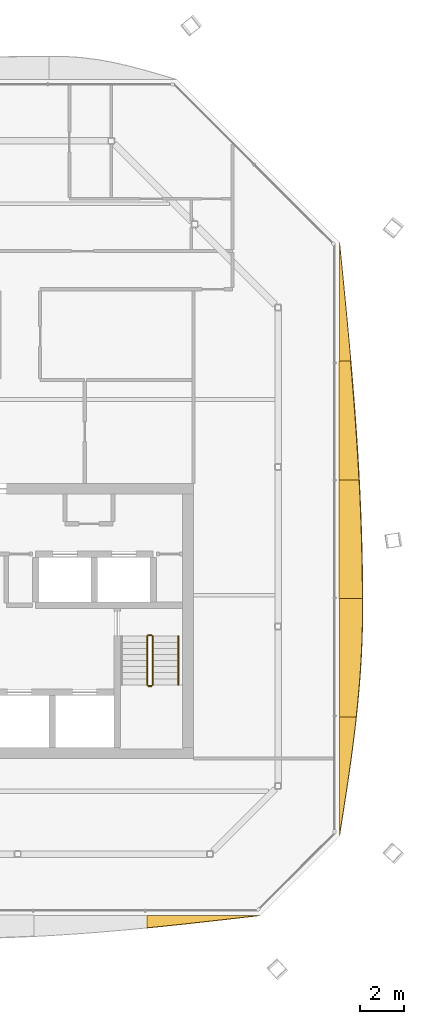
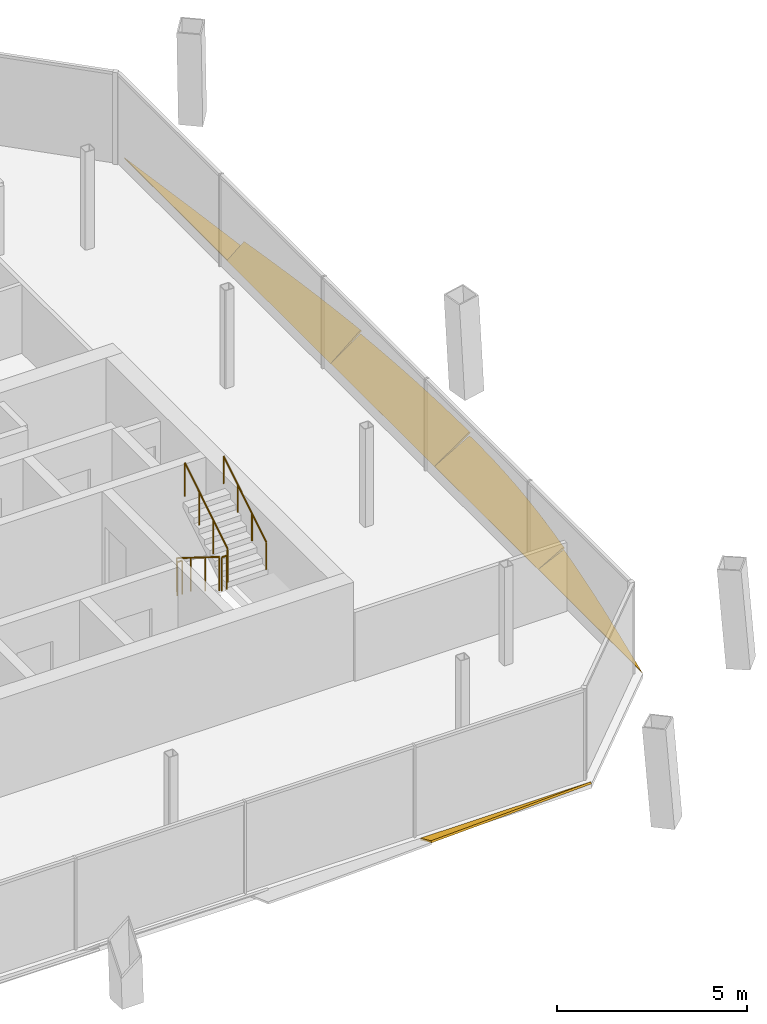
# One storey, part 17 of 18: 6 shading devices, 5 railings.
"""IFC4 building model written with IfcOpenShell, lengths in metres."""

from ifc_helpers import new_model, si_unit, direction, frame, origin, origin_2d, place, context, subcontext, project, spatial, polyline, circle, outline, extrude, material, layer, layer_set, type_object, element, save


model = new_model("IFC4")

# Units and contexts
model_context = context("Model", 3, precision=1e-05, world=origin(), true_north=direction((0.0, 1.0)))
body_context = subcontext(model_context, "Body", "Model", "MODEL_VIEW")
ifc_project = project(units=[si_unit("LENGTHUNIT", "METRE"), si_unit("AREAUNIT", "SQUARE_METRE"), si_unit("VOLUMEUNIT", "CUBIC_METRE"), si_unit("PLANEANGLEUNIT", "RADIAN"), si_unit("MASSUNIT", "GRAM", prefix="KILO")], contexts=[model_context])

# Site, building, storey
site_placement = place(None, origin())
site = spatial("IfcSite", under=ifc_project, at=site_placement, CompositionType="ELEMENT")
building_placement = place(site_placement, origin())
building = spatial("IfcBuilding", under=site, at=building_placement, Name="Tskaro Facet Tower", CompositionType="ELEMENT")
storey_placement = place(building_placement, frame((0.0, 0.0, 223.5)))
storey = spatial("IfcBuildingStorey", under=building, at=storey_placement, Name="L57", CompositionType="ELEMENT", Elevation=223.5)

# Shading devices
ifc_material_1 = material(Name="Bronze anodised aluminium 6063-T6", Category="aluminium")
ifc_layer = layer(ifc_material_1, 0.06005859375, Name="Bronze anodised aluminium 6063-T6")
ifc_layer_set = layer_set([ifc_layer], Name="Bronze anodised aluminium 6063-T6")
shading_device_type = type_object("IfcShadingDeviceType", Name="Bronze sun blade (FN1)", PredefinedType="USERDEFINED", material=ifc_layer_set)
shading_device_1_placement = place(storey_placement, frame((7.359375, -19.209716796875, 0.054443359375), z_axis=(2.568453e-06, 0.422633901937, 0.906300493726), x_axis=(0.999999999997, -1.085515e-06, -2.32779e-06)))
element("IfcShadingDevice", 1, at=shading_device_1_placement, inside=storey, type_object=shading_device_type, Name="Fin blade south 6", ObjectType="FIN", PredefinedType="USERDEFINED", context=body_context, shape_type="SweptSolid", body=[
    extrude(outline(polyline([(0.0, 0.0), (5.179687499982915, 0.0), (4.439697265429271, -0.09458579912513726), (3.699707031482207, -0.18852270450239045), (2.95971679677836, -0.2812501039297948), (2.2197265627576344, -0.3722371863234776), (1.4799804686816673, -0.4609233394814741), (0.7399902342103291, -0.5463352227819581), (-3.1380750834155586e-11, -0.6284728362249298), (0.0, 0.0)])), origin(), (0.0, 0.0, -1.0), 0.06005859375),
])
shading_device_2_placement = place(storey_placement, frame((16.209716796875, -15.5390625, 0.054443359375), z_axis=(-0.422525079058, -1.1007655e-05, 0.906351232937), x_axis=(-4.65101e-06, 0.999999999939, 9.976802e-06)))
element("IfcShadingDevice", 2, at=shading_device_2_placement, inside=storey, type_object=shading_device_type, Name="Fin blade east 1", ObjectType="FIN", PredefinedType="USERDEFINED", context=body_context, shape_type="SweptSolid", body=[
    extrude(outline(polyline([(0.0, 0.0), (5.4504394527947895, 0.0), (5.450439453450311, -0.8544581794467789), (4.769042968250884, -0.7679548816799713), (4.087890624941304, -0.6736935243953796), (3.4064941413008416, -0.5724410945993658), (2.7253417964732094, -0.46518585645478394), (2.043945311973661, -0.3531223851982593), (1.3625488287566645, -0.23734210052953153), (0.6813964830699446, -0.11927582092443884), (0.0, 0.0)])), origin(), (0.0, 0.0, -1.0), 0.06005859375),
])
shading_device_3_placement = place(storey_placement, frame((16.205078125, -10.088623046875, 0.052001953125), z_axis=(-0.500011339542, 4.82093e-07, 0.866018856798), x_axis=(2.41052e-07, 1.0, -4.17501e-07)))
element("IfcShadingDevice", 3, at=shading_device_3_placement, inside=storey, type_object=shading_device_type, Name="Fin blade east 2", ObjectType="FIN", PredefinedType="USERDEFINED", context=body_context, shape_type="SweptSolid", body=[
    extrude(outline(polyline([(0.0, 0.0), (5.450439453124367, -1.4427193105661205e-22), (5.45043945315732, -1.229094423160581), (5.068847656255057, -1.2299728604773479), (4.769042968766627, -1.2285494893097173), (4.087890624991281, -1.2167396591987512), (3.4064941405928146, -1.1922415616600524), (2.7253417968800804, -1.1552666270785807), (2.0439453125169207, -1.1064818623861434), (1.3625488280852562, -1.046220771048643), (0.6813964843866397, -0.9751176442209613), (4.1834992857346686e-11, -0.8941729923008079), (0.0, 0.0)])), origin(), (0.0, 0.0, -1.0), 0.06005859375),
])
shading_device_4_placement = place(storey_placement, frame((16.20068359375, -4.63818359375, 0.049072265625), z_axis=(-0.57364943883, -1.2885443e-05, 0.819100922453), x_axis=(-7.391727e-06, 0.999999999917, 1.0554478e-05)))
element("IfcShadingDevice", 4, at=shading_device_4_placement, inside=storey, type_object=shading_device_type, Name="Fin blade east 3", ObjectType="FIN", PredefinedType="USERDEFINED", context=body_context, shape_type="SweptSolid", body=[
    extrude(outline(polyline([(0.0, 0.0), (5.450439452672519, 4.616701793811586e-21), (5.450439453270695, -1.1103033013730195), (4.7690429672851655, -1.1513448720371315), (4.087890624258623, -1.1874462914535588), (3.406494139331869, -1.219007511244626), (2.7250976559669673, -1.2452885528443074), (2.043945313756433, -1.266829419007466), (1.3625488299059962, -1.2829500558467006), (0.6813964838609938, -1.2938504391731733), (-1.2471354553230616e-09, -1.29947064430826), (0.0, 0.0)])), origin(), (0.0, 0.0, -1.0), 0.06005859375),
])
shading_device_5_placement = place(storey_placement, frame((16.196533203125, 0.812255859375, 0.0458984375), z_axis=(-0.642851656844, -8.333823e-06, 0.765990696564), x_axis=(-5.357412e-06, 0.999999999965, 6.383631e-06)))
element("IfcShadingDevice", 5, at=shading_device_5_placement, inside=storey, type_object=shading_device_type, Name="Fin blade east 4", ObjectType="FIN", PredefinedType="USERDEFINED", context=body_context, shape_type="SweptSolid", body=[
    extrude(outline(polyline([(0.0, 0.0), (5.4504394529357265, 0.0), (5.450439453526133, -0.6808567257519662), (4.769042968272631, -0.7569412247408709), (4.087646483630716, -0.829900059613359), (3.406494141533346, -0.8995462209220206), (2.7250976560550244, -0.9654088700509869), (2.043945311312201, -1.0274579437581373), (1.362548828670816, -1.0853194231486523), (0.6811523440803506, -1.1385224696066627), (-2.7570037402705724e-10, -1.187224029337458), (0.0, 0.0)])), origin(), (0.0, 0.0, -1.0), 0.06005859375),
])
shading_device_6_placement = place(storey_placement, frame((16.214599609375, 6.2626953125, 0.056396484375), z_axis=(-0.34202393814, -1.9171009e-05, 0.939691239382), x_axis=(-6.556944e-06, 0.999999999816, 1.8014829e-05)))
element("IfcShadingDevice", 6, at=shading_device_6_placement, inside=storey, type_object=shading_device_type, Name="Fin blade east 5", ObjectType="FIN", PredefinedType="USERDEFINED", context=body_context, shape_type="SweptSolid", body=[
    extrude(outline(polyline([(0.0, 0.0), (5.450195311498452, -4.6164949986584475e-21), (4.769042967059979, -0.07221156795770223), (4.087646486394704, -0.14450663785344234), (3.406494140759714, -0.2161758702600428), (2.725097656504883, -0.28684393350247767), (2.0437011714578293, -0.3561979088361772), (1.3625488262435104, -0.4242377962611412), (0.6811523428136473, -0.49050476216430605), (-1.9800004939942952e-09, -0.5549153046076337), (0.0, 0.0)])), origin(), (0.0, 0.0, -1.0), 0.06005859375),
])

# Railings
ifc_material_2 = material(Name="Stainless steel", Category="steel")
railing_type_1 = type_object("IfcRailingType", Name="RL-GUARD-1100", PredefinedType="GUARDRAIL", material=ifc_material_2)
railing_1_placement = place(storey_placement, frame((7.375, -6.375, 0.175048828125)))
element("IfcRailing", 7, at=railing_1_placement, inside=storey, type_object=railing_type_1, Name="L57 ST-2 stair guard 1", PredefinedType="GUARDRAIL", context=body_context, shape_type="SweptSolid", body=[
    extrude(circle(Radius=0.02392578125, at=origin_2d()), frame((0.0, 0.0, 1.076171875), z_axis=(0.0, -0.848013881152, 0.529974015752), x_axis=(1.0, 0.0, 0.0)), (0.0, 0.0, 1.0), 2.641357421875),
    extrude(circle(Radius=0.02099609375, at=origin_2d()), origin(), (0.0, 0.0, 1.0), 1.052001953125),
    extrude(circle(Radius=0.02099609375, at=origin_2d()), frame((0.0, -0.74658203125, 0.466552734375)), (0.0, 0.0, 1.0), 1.052001953125),
    extrude(circle(Radius=0.02099609375, at=origin_2d()), frame((0.0, -1.493408203125, 0.933349609375)), (0.0, 0.0, 1.0), 1.052001953125),
    extrude(circle(Radius=0.02099609375, at=origin_2d()), frame((0.0, -2.239990234375, 1.39990234375)), (0.0, 0.0, 1.0), 1.052001953125),
])
railing_2_placement = place(storey_placement, frame((7.425048828125, -8.6650390625, 1.574951171875)))
element("IfcRailing", 8, at=railing_2_placement, inside=storey, type_object=railing_type_1, Name="L57 ST-2 stair guard 2", PredefinedType="GUARDRAIL", context=body_context, shape_type="SweptSolid", body=[
    extrude(circle(Radius=0.02392578125, at=origin_2d()), frame((0.0, 0.0, 1.076171875), z_axis=(1.0, 0.0, 0.0), x_axis=(0.0, 1.0, 0.0)), (0.0, 0.0, 1.0), 0.14990234375),
    extrude(circle(Radius=0.02099609375, at=origin_2d()), origin(), (0.0, 0.0, 1.0), 1.052001953125),
    extrude(circle(Radius=0.02099609375, at=origin_2d()), frame((0.14990234375, 0.0, 0.0)), (0.0, 0.0, 1.0), 1.052001953125),
])
railing_3_placement = place(storey_placement, frame((7.625, -8.614990234375, 1.75)))
element("IfcRailing", 9, at=railing_3_placement, inside=storey, type_object=railing_type_1, Name="L57 ST-2 stair guard 3", PredefinedType="GUARDRAIL", context=body_context, shape_type="SweptSolid", body=[
    extrude(circle(Radius=0.02392578125, at=origin_2d()), frame((0.0, 0.0, 1.076171875), z_axis=(0.0, 0.848013881152, 0.529974015752), x_axis=(-1.0, 0.0, 0.0)), (0.0, 0.0, 1.0), 2.641357421875),
    extrude(circle(Radius=0.02099609375, at=origin_2d()), origin(), (0.0, 0.0, 1.0), 1.052001953125),
    extrude(circle(Radius=0.02099609375, at=origin_2d()), frame((0.0, 0.74658203125, 0.466552734375)), (0.0, 0.0, 1.0), 1.052001953125),
    extrude(circle(Radius=0.02099609375, at=origin_2d()), frame((0.0, 1.493408203125, 0.933349609375)), (0.0, 0.0, 1.0), 1.052001953125),
    extrude(circle(Radius=0.02099609375, at=origin_2d()), frame((0.0, 2.239990234375, 1.39990234375)), (0.0, 0.0, 1.0), 1.052001953125),
])
railing_4_placement = place(storey_placement, frame((7.425048828125, -6.324951171875, 0.0)))
element("IfcRailing", 10, at=railing_4_placement, inside=storey, type_object=railing_type_1, Name="L57 ST-2 stair guard 4", PredefinedType="GUARDRAIL", context=body_context, shape_type="SweptSolid", body=[
    extrude(circle(Radius=0.02392578125, at=origin_2d()), frame((0.0, 0.0, 1.076171875), z_axis=(1.0, 0.0, 0.0), x_axis=(0.0, 1.0, 0.0)), (0.0, 0.0, 1.0), 0.14990234375),
    extrude(circle(Radius=0.02099609375, at=origin_2d()), origin(), (0.0, 0.0, 1.0), 1.052001953125),
    extrude(circle(Radius=0.02099609375, at=origin_2d()), frame((0.14990234375, 0.0, 0.0)), (0.0, 0.0, 1.0), 1.052001953125),
])
railing_type_2 = type_object("IfcRailingType", Name="RL-HANDRAIL-900", PredefinedType="HANDRAIL", material=ifc_material_2)
railing_5_placement = place(storey_placement, frame((8.800048828125, -8.614990234375, 1.75)))
element("IfcRailing", 11, at=railing_5_placement, inside=storey, type_object=railing_type_2, Name="L57 ST-2 stair handrail 2", PredefinedType="HANDRAIL", context=body_context, shape_type="SweptSolid", body=[
    extrude(circle(Radius=0.02392578125, at=origin_2d()), frame((0.0, 0.0, 0.8759765625), z_axis=(0.0, 0.848013881152, 0.529974015752), x_axis=(-1.0, 0.0, 0.0)), (0.0, 0.0, 1.0), 2.641357421875),
    extrude(circle(Radius=0.02099609375, at=origin_2d()), origin(), (0.0, 0.0, 1.0), 0.851806640625),
    extrude(circle(Radius=0.02099609375, at=origin_2d()), frame((0.0, 0.74658203125, 0.466552734375)), (0.0, 0.0, 1.0), 0.851806640625),
    extrude(circle(Radius=0.02099609375, at=origin_2d()), frame((0.0, 1.493408203125, 0.933349609375)), (0.0, 0.0, 1.0), 0.851806640625),
    extrude(circle(Radius=0.02099609375, at=origin_2d()), frame((0.0, 2.239990234375, 1.39990234375)), (0.0, 0.0, 1.0), 0.851806640625),
])

save(model, "model.ifc")
